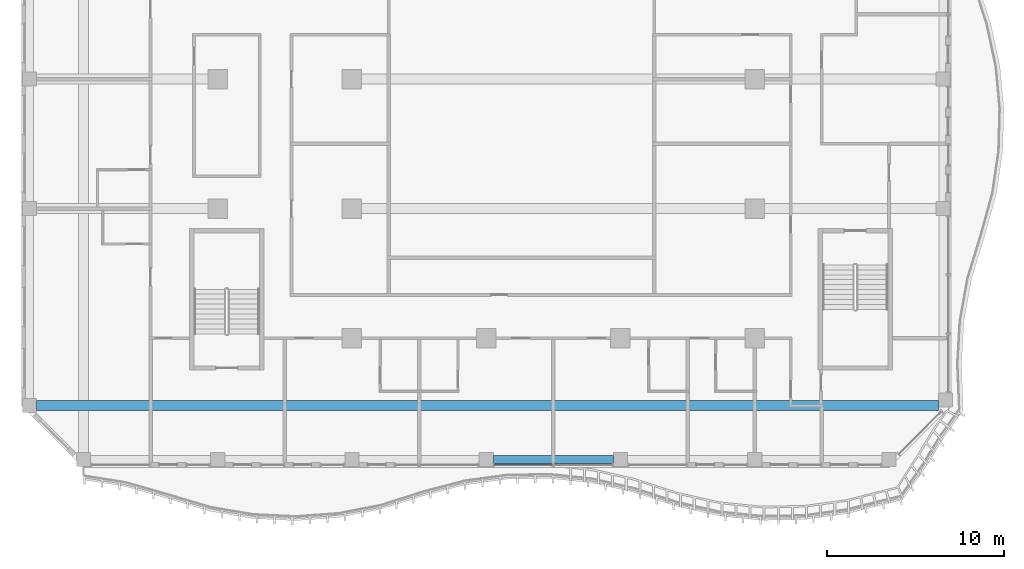
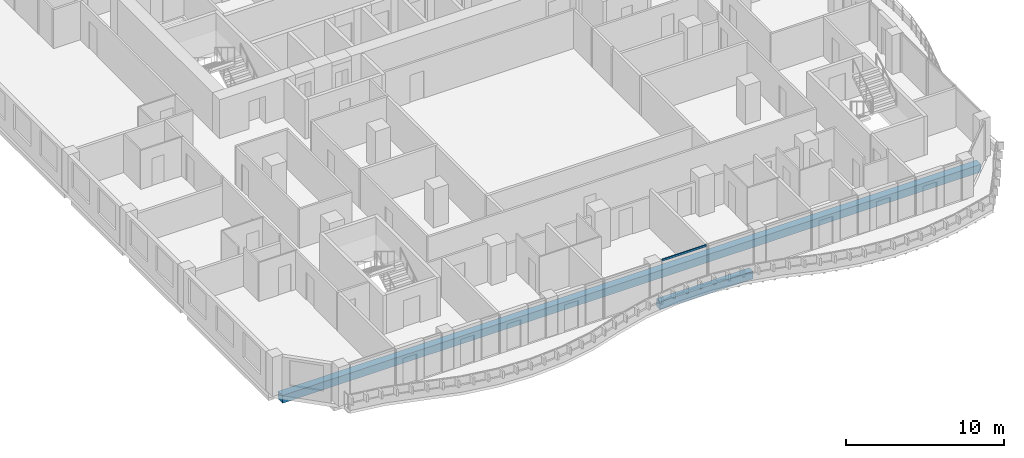
# One storey, part 3 of 23: 2 beams, 1 member, 1 element without a shape of its own.
"""IFC4 building model written with IfcOpenShell, lengths in metres."""

from ifc_helpers import new_model, si_unit, direction, frame, origin, origin_2d, place, context, subcontext, project, spatial, rectangle, extrude, source, transform, mapped, material, material_profile, profile_set, type_object, element, aggregate, save


model = new_model("IFC4")

# Units and contexts
model_context = context("Model", 3, precision=1e-05, world=origin(), true_north=direction((0.0, 1.0)))
body_context = subcontext(model_context, "Body", "Model", "MODEL_VIEW")
ifc_project = project(units=[si_unit("LENGTHUNIT", "METRE"), si_unit("AREAUNIT", "SQUARE_METRE"), si_unit("VOLUMEUNIT", "CUBIC_METRE"), si_unit("PLANEANGLEUNIT", "RADIAN"), si_unit("MASSUNIT", "GRAM", prefix="KILO")], contexts=[model_context])

# Site, building, storey
site_placement = place(None, origin())
site = spatial("IfcSite", under=ifc_project, at=site_placement, CompositionType="ELEMENT")
building_placement = place(site_placement, origin())
building = spatial("IfcBuilding", under=site, at=building_placement, Name="Kilnfold Tower and Market Hall", CompositionType="ELEMENT")
storey_placement = place(building_placement, frame((0.0, 0.0, 160.89990234375)))
storey = spatial("IfcBuildingStorey", under=building, at=storey_placement, Name="L37", CompositionType="ELEMENT", Elevation=160.89990234375)

# Beams
ifc_material_1 = material(Name="Concrete C45", Category="concrete")
ifc_material_profile_1 = material_profile(ifc_material_1, rectangle(XDim=0.449951171875, YDim=0.60009765625, at=origin_2d()), Name="RC 450x600")
ifc_profile_set_1 = profile_set([ifc_material_profile_1], Name="Concrete C45")
beam_type_1 = type_object("IfcBeamType", Name="EDGE BEAM 450X600 C45", PredefinedType="BEAM", material=ifc_profile_set_1)
shared_shape_1 = source(origin(), body_context, "Body", "SweptSolid", [
    extrude(rectangle(XDim=0.449951171875, YDim=0.60009765625, at=origin_2d()), origin(), (0.0, 0.0, 1.0), 6.783447265625),
])
beam_1_placement = place(storey_placement, frame((-0.60009765625, -20.800048828125, -0.579833984375), z_axis=(1.0, 0.0, 0.0), x_axis=(0.0, 1.0, 0.0)))
element("IfcBeam", 1, at=beam_1_placement, inside=storey, type_object=beam_type_1, Name="Beam EB600-B4.79", PredefinedType="BEAM", context=body_context, shape_type="MappedRepresentation", body=[
    mapped(shared_shape_1, transform((0.0, 0.0, 0.0))),
])
ifc_material_2 = material(Name="Concrete C45", Category="concrete")
ifc_material_profile_2 = material_profile(ifc_material_2, rectangle(XDim=0.550048828125, YDim=0.60009765625, at=origin_2d()), Name="RC 550x600")
ifc_profile_set_2 = profile_set([ifc_material_profile_2], Name="Concrete C45")
beam_type_2 = type_object("IfcBeamType", Name="BEAM 550X600 C45", PredefinedType="BEAM", material=ifc_profile_set_2)
shared_shape_2 = source(origin(), body_context, "Body", "SweptSolid", [
    extrude(rectangle(XDim=0.550048828125, YDim=0.60009765625, at=origin_2d()), origin(), (0.0, 0.0, 1.0), 50.931640625),
])
beam_2_placement = place(storey_placement, frame((-26.39990234375, -17.75, -0.579833984375), z_axis=(1.0, 0.0, 0.0), x_axis=(0.0, 1.0, 0.0)))
element("IfcBeam", 2, at=beam_2_placement, inside=storey, type_object=beam_type_2, Name="Beam BB600-B4.82", PredefinedType="BEAM", context=body_context, shape_type="MappedRepresentation", body=[
    mapped(shared_shape_2, transform((0.0, 0.0, 0.0))),
])

# Curtain wall, member
ifc_material_3 = material(Name="Aluminium and double glazing", Category="aluminium")
curtain_wall_type = type_object("IfcCurtainWallType", Name="CW GARDEN HOTEL WINTER GARDEN", PredefinedType="NOTDEFINED", material=ifc_material_3)
curtain_wall_placement = place(storey_placement, origin())
curtain_wall = element("IfcCurtainWall", 3, at=curtain_wall_placement, inside=storey, type_object=curtain_wall_type, Name="Curtain wall CW5 L37 S", PredefinedType="NOTDEFINED")
ifc_material_4 = material(Name="Aluminium", Category="aluminium")
ifc_material_profile_3 = material_profile(ifc_material_4, rectangle(XDim=0.06494140625, YDim=0.14990234375, at=origin_2d()), Name="TRANSOM 65x150")
ifc_profile_set_3 = profile_set([ifc_material_profile_3], Name="Aluminium")
member_type = type_object("IfcMemberType", Name="TRANSOM 65X150", PredefinedType="USERDEFINED", material=ifc_profile_set_3)
shared_shape_3 = source(origin(), body_context, "Body", "SweptSolid", [
    extrude(rectangle(XDim=0.06494140625, YDim=0.14990234375, at=origin_2d()), origin(), (0.0, 0.0, 1.0), 3.261474609375),
])
member_placement = place(storey_placement, frame((-0.534912109375, -21.10009765625, 2.967529296875), z_axis=(1.0, 0.0, 0.0), x_axis=(0.0, 1.0, 0.0)))
member = element("IfcMember", 4, at=member_placement, type_object=member_type, Name="CW5 transom 1.2", ObjectType="TRANSOM", PredefinedType="USERDEFINED", context=body_context, shape_type="MappedRepresentation", body=[
    mapped(shared_shape_3, transform((0.0, 0.0, 0.0))),
])
aggregate(curtain_wall, [member])

save(model, "model.ifc")
